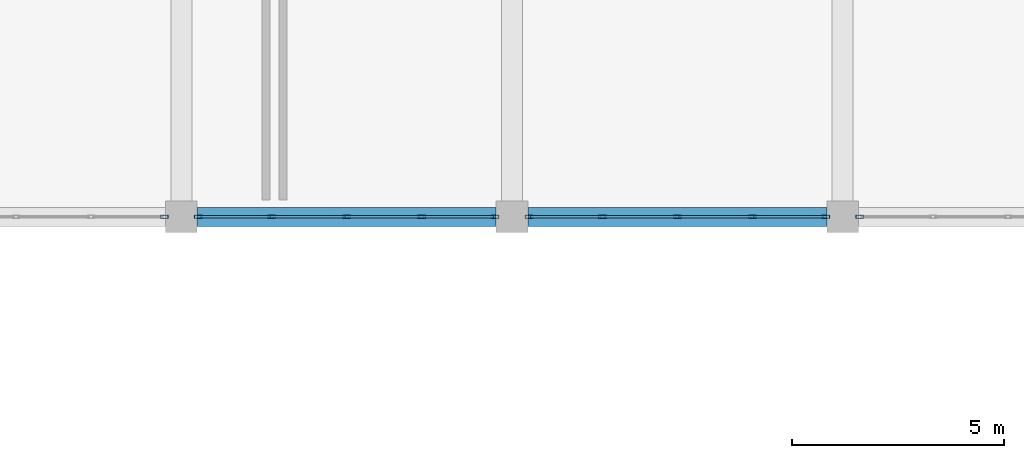
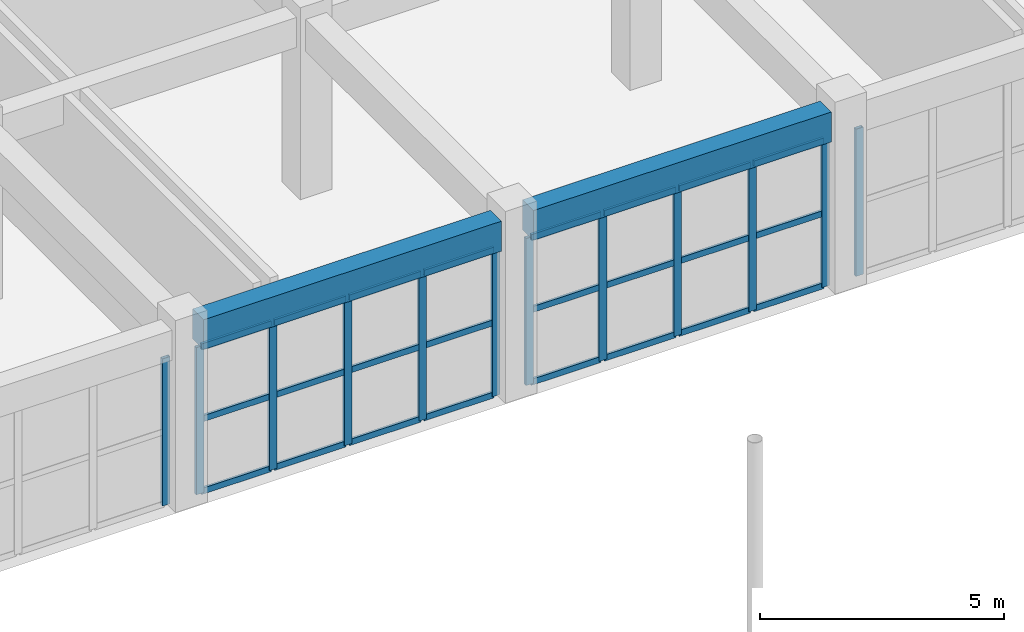
# One storey, part 84 of 175: 36 members, 2 beams, 4 elements without a shape of their own.
"""IFC4 building model written with IfcOpenShell, lengths in metres."""

from ifc_helpers import new_model, si_unit, direction, frame, origin, origin_2d, place, context, subcontext, project, spatial, rectangle, hollow_rectangle, extrude, material, layer, layer_set, material_profile, profile_set, type_object, element, aggregate, save


model = new_model("IFC4")

# Units and contexts
model_context = context("Model", 3, precision=1e-05, world=origin(), true_north=direction((0.0, 1.0)))
body_context = subcontext(model_context, "Body", "Model", "MODEL_VIEW")
ifc_project = project(units=[si_unit("LENGTHUNIT", "METRE"), si_unit("AREAUNIT", "SQUARE_METRE"), si_unit("VOLUMEUNIT", "CUBIC_METRE"), si_unit("PLANEANGLEUNIT", "RADIAN"), si_unit("MASSUNIT", "GRAM", prefix="KILO")], contexts=[model_context])

# Site, building, storey
site_placement = place(None, origin())
site = spatial("IfcSite", under=ifc_project, at=site_placement, CompositionType="ELEMENT")
building_placement = place(site_placement, origin())
building = spatial("IfcBuilding", under=site, at=building_placement, Name="Zizhar Promenade General Hospital", CompositionType="ELEMENT")
storey_placement = place(building_placement, frame((0.0, 0.0, 4.800048828125)))
storey = spatial("IfcBuildingStorey", under=building, at=storey_placement, Name="L01", CompositionType="ELEMENT", Elevation=4.800048828125)

# Beams
ifc_material_1 = material(Name="Concrete C35/45", Category="concrete")
ifc_material_profile_1 = material_profile(ifc_material_1, rectangle(XDim=0.449951171875, YDim=0.75, at=origin_2d()))
ifc_profile_set_1 = profile_set([ifc_material_profile_1], Name="Concrete C35/45")
beam_type = type_object("IfcBeamType", Name="BM-RC-450x750", PredefinedType="BEAM", material=ifc_profile_set_1)
beam_1_placement = place(storey_placement, frame((93.97509765625, 92.39990234375, 4.094970703125), z_axis=(1.0, 0.0, 0.0), x_axis=(0.0, 1.0, 0.0)))
element("IfcBeam", 1, at=beam_1_placement, inside=storey, type_object=beam_type, Name="Grid Beam X L01 (12-11)", PredefinedType="BEAM", context=body_context, shape_type="SweptSolid", body=[
    extrude(rectangle(XDim=0.449951171875, YDim=0.75, at=origin_2d()), origin(), (0.0, 0.0, 1.0), 7.0498046875),
])
beam_2_placement = place(storey_placement, frame((101.77490234375, 92.39990234375, 4.094970703125), z_axis=(1.0, 0.0, 0.0), x_axis=(0.0, 1.0, 0.0)))
element("IfcBeam", 2, at=beam_2_placement, inside=storey, type_object=beam_type, Name="Grid Beam X L01 (13-11)", PredefinedType="BEAM", context=body_context, shape_type="SweptSolid", body=[
    extrude(rectangle(XDim=0.449951171875, YDim=0.75, at=origin_2d()), origin(), (0.0, 0.0, 1.0), 7.050048828125),
])

# Curtain wall, member
ifc_material_2 = material(Name="Anodised aluminium 6063-T6 and low-E glass", Category="aluminium")
ifc_layer = layer(ifc_material_2, 0.159912109375)
ifc_layer_set = layer_set([ifc_layer], Name="Anodised aluminium 6063-T6 and low-E glass")
curtain_wall_type = type_object("IfcCurtainWallType", Name="CW-DT-MOD1", PredefinedType="NOTDEFINED", material=ifc_layer_set)
curtain_wall_1_placement = place(storey_placement, origin())
curtain_wall_1 = element("IfcCurtainWall", 3, at=curtain_wall_1_placement, inside=storey, type_object=curtain_wall_type, Name="Garden Court North Surgical Glazing L01-11", PredefinedType="NOTDEFINED")
ifc_material_3 = material(Name="Anodised aluminium 6063-T6", Category="aluminium")
ifc_material_profile_2 = material_profile(ifc_material_3, hollow_rectangle(XDim=0.080078125, YDim=0.179931640625, WallThickness=0.0048828125, at=origin_2d()))
ifc_profile_set_2 = profile_set([ifc_material_profile_2], Name="Anodised aluminium 6063-T6")
member_type_1 = type_object("IfcMemberType", Name="CWM-ALU-180x80", PredefinedType="MULLION", material=ifc_profile_set_2)
member_1_placement = place(storey_placement, frame((93.199951171875, 92.39990234375, 0.0), z_axis=(0.0, 0.0, 1.0), x_axis=(0.0, -1.0, 0.0)))
member_1 = element("IfcMember", 4, at=member_1_placement, type_object=member_type_1, Name="CW-07 mullion 1", PredefinedType="MULLION", context=body_context, shape_type="SweptSolid", body=[
    extrude(hollow_rectangle(XDim=0.080078125, YDim=0.179931640625, WallThickness=0.0048828125, at=origin_2d()), origin(), (0.0, 0.0, 1.0), 3.679931640625),
])
aggregate(curtain_wall_1, [member_1])

# Curtain wall, members
curtain_wall_2_placement = place(storey_placement, origin())
curtain_wall_2 = element("IfcCurtainWall", 5, at=curtain_wall_2_placement, inside=storey, type_object=curtain_wall_type, Name="Garden Court North Surgical Glazing L01-12", PredefinedType="NOTDEFINED")
member_2_placement = place(storey_placement, frame((101.0, 92.39990234375, 0.0), z_axis=(0.0, 0.0, 1.0), x_axis=(0.0, -1.0, 0.0)))
member_2 = element("IfcMember", 6, at=member_2_placement, type_object=member_type_1, Name="CW-07 mullion 1", PredefinedType="MULLION", context=body_context, shape_type="SweptSolid", body=[
    extrude(hollow_rectangle(XDim=0.080078125, YDim=0.179931640625, WallThickness=0.0048828125, at=origin_2d()), origin(), (0.0, 0.0, 1.0), 3.679931640625),
])
member_3_placement = place(storey_placement, frame((99.27001953125, 92.39990234375, 0.0), z_axis=(0.0, 0.0, 1.0), x_axis=(0.0, -1.0, 0.0)))
member_3 = element("IfcMember", 7, at=member_3_placement, type_object=member_type_1, Name="CW-07 mullion 2", PredefinedType="MULLION", context=body_context, shape_type="SweptSolid", body=[
    extrude(hollow_rectangle(XDim=0.080078125, YDim=0.179931640625, WallThickness=0.0048828125, at=origin_2d()), origin(), (0.0, 0.0, 1.0), 3.679931640625),
])
member_4_placement = place(storey_placement, frame((97.5, 92.39990234375, 0.0), z_axis=(0.0, 0.0, 1.0), x_axis=(0.0, -1.0, 0.0)))
member_4 = element("IfcMember", 8, at=member_4_placement, type_object=member_type_1, Name="CW-07 mullion 3", PredefinedType="MULLION", context=body_context, shape_type="SweptSolid", body=[
    extrude(hollow_rectangle(XDim=0.080078125, YDim=0.179931640625, WallThickness=0.0048828125, at=origin_2d()), origin(), (0.0, 0.0, 1.0), 3.679931640625),
])
member_5_placement = place(storey_placement, frame((95.72998046875, 92.39990234375, 0.0), z_axis=(0.0, 0.0, 1.0), x_axis=(0.0, -1.0, 0.0)))
member_5 = element("IfcMember", 9, at=member_5_placement, type_object=member_type_1, Name="CW-07 mullion 4", PredefinedType="MULLION", context=body_context, shape_type="SweptSolid", body=[
    extrude(hollow_rectangle(XDim=0.080078125, YDim=0.179931640625, WallThickness=0.0048828125, at=origin_2d()), origin(), (0.0, 0.0, 1.0), 3.679931640625),
])
member_6_placement = place(storey_placement, frame((94.0, 92.39990234375, 0.0), z_axis=(0.0, 0.0, 1.0), x_axis=(0.0, -1.0, 0.0)))
member_6 = element("IfcMember", 10, at=member_6_placement, type_object=member_type_1, Name="CW-07 mullion 5", PredefinedType="MULLION", context=body_context, shape_type="SweptSolid", body=[
    extrude(hollow_rectangle(XDim=0.080078125, YDim=0.179931640625, WallThickness=0.0048828125, at=origin_2d()), origin(), (0.0, 0.0, 1.0), 3.679931640625),
])

curtain_wall_3_placement = place(storey_placement, origin())
curtain_wall_3 = element("IfcCurtainWall", 11, at=curtain_wall_3_placement, inside=storey, type_object=curtain_wall_type, Name="Garden Court North Surgical Glazing L01-13", PredefinedType="NOTDEFINED")
member_7_placement = place(storey_placement, frame((108.800048828125, 92.39990234375, 0.0), z_axis=(0.0, 0.0, 1.0), x_axis=(0.0, -1.0, 0.0)))
member_7 = element("IfcMember", 12, at=member_7_placement, type_object=member_type_1, Name="CW-07 mullion 1", PredefinedType="MULLION", context=body_context, shape_type="SweptSolid", body=[
    extrude(hollow_rectangle(XDim=0.080078125, YDim=0.179931640625, WallThickness=0.0048828125, at=origin_2d()), origin(), (0.0, 0.0, 1.0), 3.679931640625),
])
member_8_placement = place(storey_placement, frame((107.070068359375, 92.39990234375, 0.0), z_axis=(0.0, 0.0, 1.0), x_axis=(0.0, -1.0, 0.0)))
member_8 = element("IfcMember", 13, at=member_8_placement, type_object=member_type_1, Name="CW-07 mullion 2", PredefinedType="MULLION", context=body_context, shape_type="SweptSolid", body=[
    extrude(hollow_rectangle(XDim=0.080078125, YDim=0.179931640625, WallThickness=0.0048828125, at=origin_2d()), origin(), (0.0, 0.0, 1.0), 3.679931640625),
])
member_9_placement = place(storey_placement, frame((105.300048828125, 92.39990234375, 0.0), z_axis=(0.0, 0.0, 1.0), x_axis=(0.0, -1.0, 0.0)))
member_9 = element("IfcMember", 14, at=member_9_placement, type_object=member_type_1, Name="CW-07 mullion 3", PredefinedType="MULLION", context=body_context, shape_type="SweptSolid", body=[
    extrude(hollow_rectangle(XDim=0.080078125, YDim=0.179931640625, WallThickness=0.0048828125, at=origin_2d()), origin(), (0.0, 0.0, 1.0), 3.679931640625),
])
member_10_placement = place(storey_placement, frame((103.530029296875, 92.39990234375, 0.0), z_axis=(0.0, 0.0, 1.0), x_axis=(0.0, -1.0, 0.0)))
member_10 = element("IfcMember", 15, at=member_10_placement, type_object=member_type_1, Name="CW-07 mullion 4", PredefinedType="MULLION", context=body_context, shape_type="SweptSolid", body=[
    extrude(hollow_rectangle(XDim=0.080078125, YDim=0.179931640625, WallThickness=0.0048828125, at=origin_2d()), origin(), (0.0, 0.0, 1.0), 3.679931640625),
])
member_11_placement = place(storey_placement, frame((101.800048828125, 92.39990234375, 0.0), z_axis=(0.0, 0.0, 1.0), x_axis=(0.0, -1.0, 0.0)))
member_11 = element("IfcMember", 16, at=member_11_placement, type_object=member_type_1, Name="CW-07 mullion 5", PredefinedType="MULLION", context=body_context, shape_type="SweptSolid", body=[
    extrude(hollow_rectangle(XDim=0.080078125, YDim=0.179931640625, WallThickness=0.0048828125, at=origin_2d()), origin(), (0.0, 0.0, 1.0), 3.679931640625),
])

# Curtain wall, member
curtain_wall_4_placement = place(storey_placement, origin())
curtain_wall_4 = element("IfcCurtainWall", 17, at=curtain_wall_4_placement, inside=storey, type_object=curtain_wall_type, Name="Garden Court North Surgical Glazing L01-14", PredefinedType="NOTDEFINED")
member_12_placement = place(storey_placement, frame((109.60009765625, 92.39990234375, 0.0), z_axis=(0.0, 0.0, 1.0), x_axis=(0.0, -1.0, 0.0)))
member_12 = element("IfcMember", 18, at=member_12_placement, type_object=member_type_1, Name="CW-07 mullion 5", PredefinedType="MULLION", context=body_context, shape_type="SweptSolid", body=[
    extrude(hollow_rectangle(XDim=0.080078125, YDim=0.179931640625, WallThickness=0.0048828125, at=origin_2d()), origin(), (0.0, 0.0, 1.0), 3.679931640625),
])
aggregate(curtain_wall_4, [member_12])

# Member
ifc_material_4 = material(Name="Anodised aluminium 6063-T6", Category="aluminium")
ifc_material_profile_3 = material_profile(ifc_material_4, hollow_rectangle(XDim=0.06005859375, YDim=0.14990234375, WallThickness=0.00390625, at=origin_2d()))
ifc_profile_set_3 = profile_set([ifc_material_profile_3], Name="Anodised aluminium 6063-T6")
member_type_2 = type_object("IfcMemberType", Name="CWT-ALU-150x60", PredefinedType="USERDEFINED", material=ifc_profile_set_3)
member_13_placement = place(storey_placement, frame((100.9599609375, 92.39990234375, 0.030029296875), z_axis=(-1.0, 0.0, 0.0), x_axis=(0.0, -1.0, 0.0)))
member_13 = element("IfcMember", 19, at=member_13_placement, type_object=member_type_2, Name="CW-07 transom 1.1", ObjectType="TRANSOM", PredefinedType="USERDEFINED", context=body_context, shape_type="SweptSolid", body=[
    extrude(hollow_rectangle(XDim=0.06005859375, YDim=0.14990234375, WallThickness=0.00390625, at=origin_2d()), origin(), (0.0, 0.0, 1.0), 1.64990234375),
])

member_14_placement = place(storey_placement, frame((100.9599609375, 92.39990234375, 1.83984375), z_axis=(-1.0, 0.0, 0.0), x_axis=(0.0, -1.0, 0.0)))
member_14 = element("IfcMember", 20, at=member_14_placement, type_object=member_type_2, Name="CW-07 transom 1.2", ObjectType="TRANSOM", PredefinedType="USERDEFINED", context=body_context, shape_type="SweptSolid", body=[
    extrude(hollow_rectangle(XDim=0.06005859375, YDim=0.14990234375, WallThickness=0.00390625, at=origin_2d()), origin(), (0.0, 0.0, 1.0), 1.64990234375),
])

member_15_placement = place(storey_placement, frame((100.9599609375, 92.39990234375, 3.64990234375), z_axis=(-1.0, 0.0, 0.0), x_axis=(0.0, -1.0, 0.0)))
member_15 = element("IfcMember", 21, at=member_15_placement, type_object=member_type_2, Name="CW-07 transom 1.3", ObjectType="TRANSOM", PredefinedType="USERDEFINED", context=body_context, shape_type="SweptSolid", body=[
    extrude(hollow_rectangle(XDim=0.06005859375, YDim=0.14990234375, WallThickness=0.00390625, at=origin_2d()), origin(), (0.0, 0.0, 1.0), 1.64990234375),
])

member_16_placement = place(storey_placement, frame((99.22998046875, 92.39990234375, 0.030029296875), z_axis=(-1.0, 0.0, 0.0), x_axis=(0.0, -1.0, 0.0)))
member_16 = element("IfcMember", 22, at=member_16_placement, type_object=member_type_2, Name="CW-07 transom 2.1", ObjectType="TRANSOM", PredefinedType="USERDEFINED", context=body_context, shape_type="SweptSolid", body=[
    extrude(hollow_rectangle(XDim=0.06005859375, YDim=0.14990234375, WallThickness=0.00390625, at=origin_2d()), origin(), (0.0, 0.0, 1.0), 1.68994140625),
])

member_17_placement = place(storey_placement, frame((99.22998046875, 92.39990234375, 1.83984375), z_axis=(-1.0, 0.0, 0.0), x_axis=(0.0, -1.0, 0.0)))
member_17 = element("IfcMember", 23, at=member_17_placement, type_object=member_type_2, Name="CW-07 transom 2.2", ObjectType="TRANSOM", PredefinedType="USERDEFINED", context=body_context, shape_type="SweptSolid", body=[
    extrude(hollow_rectangle(XDim=0.06005859375, YDim=0.14990234375, WallThickness=0.00390625, at=origin_2d()), origin(), (0.0, 0.0, 1.0), 1.68994140625),
])

member_18_placement = place(storey_placement, frame((99.22998046875, 92.39990234375, 3.64990234375), z_axis=(-1.0, 0.0, 0.0), x_axis=(0.0, -1.0, 0.0)))
member_18 = element("IfcMember", 24, at=member_18_placement, type_object=member_type_2, Name="CW-07 transom 2.3", ObjectType="TRANSOM", PredefinedType="USERDEFINED", context=body_context, shape_type="SweptSolid", body=[
    extrude(hollow_rectangle(XDim=0.06005859375, YDim=0.14990234375, WallThickness=0.00390625, at=origin_2d()), origin(), (0.0, 0.0, 1.0), 1.68994140625),
])

member_19_placement = place(storey_placement, frame((97.4599609375, 92.39990234375, 0.030029296875), z_axis=(-1.0, 0.0, 0.0), x_axis=(0.0, -1.0, 0.0)))
member_19 = element("IfcMember", 25, at=member_19_placement, type_object=member_type_2, Name="CW-07 transom 3.1", ObjectType="TRANSOM", PredefinedType="USERDEFINED", context=body_context, shape_type="SweptSolid", body=[
    extrude(hollow_rectangle(XDim=0.06005859375, YDim=0.14990234375, WallThickness=0.00390625, at=origin_2d()), origin(), (0.0, 0.0, 1.0), 1.68994140625),
])

member_20_placement = place(storey_placement, frame((97.4599609375, 92.39990234375, 1.83984375), z_axis=(-1.0, 0.0, 0.0), x_axis=(0.0, -1.0, 0.0)))
member_20 = element("IfcMember", 26, at=member_20_placement, type_object=member_type_2, Name="CW-07 transom 3.2", ObjectType="TRANSOM", PredefinedType="USERDEFINED", context=body_context, shape_type="SweptSolid", body=[
    extrude(hollow_rectangle(XDim=0.06005859375, YDim=0.14990234375, WallThickness=0.00390625, at=origin_2d()), origin(), (0.0, 0.0, 1.0), 1.68994140625),
])

member_21_placement = place(storey_placement, frame((97.4599609375, 92.39990234375, 3.64990234375), z_axis=(-1.0, 0.0, 0.0), x_axis=(0.0, -1.0, 0.0)))
member_21 = element("IfcMember", 27, at=member_21_placement, type_object=member_type_2, Name="CW-07 transom 3.3", ObjectType="TRANSOM", PredefinedType="USERDEFINED", context=body_context, shape_type="SweptSolid", body=[
    extrude(hollow_rectangle(XDim=0.06005859375, YDim=0.14990234375, WallThickness=0.00390625, at=origin_2d()), origin(), (0.0, 0.0, 1.0), 1.68994140625),
])

member_22_placement = place(storey_placement, frame((95.68994140625, 92.39990234375, 0.030029296875), z_axis=(-1.0, 0.0, 0.0), x_axis=(0.0, -1.0, 0.0)))
member_22 = element("IfcMember", 28, at=member_22_placement, type_object=member_type_2, Name="CW-07 transom 4.1", ObjectType="TRANSOM", PredefinedType="USERDEFINED", context=body_context, shape_type="SweptSolid", body=[
    extrude(hollow_rectangle(XDim=0.06005859375, YDim=0.14990234375, WallThickness=0.00390625, at=origin_2d()), origin(), (0.0, 0.0, 1.0), 1.64990234375),
])

member_23_placement = place(storey_placement, frame((95.68994140625, 92.39990234375, 1.83984375), z_axis=(-1.0, 0.0, 0.0), x_axis=(0.0, -1.0, 0.0)))
member_23 = element("IfcMember", 29, at=member_23_placement, type_object=member_type_2, Name="CW-07 transom 4.2", ObjectType="TRANSOM", PredefinedType="USERDEFINED", context=body_context, shape_type="SweptSolid", body=[
    extrude(hollow_rectangle(XDim=0.06005859375, YDim=0.14990234375, WallThickness=0.00390625, at=origin_2d()), origin(), (0.0, 0.0, 1.0), 1.64990234375),
])

member_24_placement = place(storey_placement, frame((95.68994140625, 92.39990234375, 3.64990234375), z_axis=(-1.0, 0.0, 0.0), x_axis=(0.0, -1.0, 0.0)))
member_24 = element("IfcMember", 30, at=member_24_placement, type_object=member_type_2, Name="CW-07 transom 4.3", ObjectType="TRANSOM", PredefinedType="USERDEFINED", context=body_context, shape_type="SweptSolid", body=[
    extrude(hollow_rectangle(XDim=0.06005859375, YDim=0.14990234375, WallThickness=0.00390625, at=origin_2d()), origin(), (0.0, 0.0, 1.0), 1.64990234375),
])

aggregate(curtain_wall_2, [member_2, member_3, member_4, member_5, member_6, member_13, member_14, member_15, member_16, member_17, member_18, member_19, member_20, member_21, member_22, member_23, member_24])

member_25_placement = place(storey_placement, frame((108.760009765625, 92.39990234375, 0.030029296875), z_axis=(-1.0, 0.0, 0.0), x_axis=(0.0, -1.0, 0.0)))
member_25 = element("IfcMember", 31, at=member_25_placement, type_object=member_type_2, Name="CW-07 transom 1.1", ObjectType="TRANSOM", PredefinedType="USERDEFINED", context=body_context, shape_type="SweptSolid", body=[
    extrude(hollow_rectangle(XDim=0.06005859375, YDim=0.14990234375, WallThickness=0.00390625, at=origin_2d()), origin(), (0.0, 0.0, 1.0), 1.64990234375),
])

member_26_placement = place(storey_placement, frame((108.760009765625, 92.39990234375, 1.83984375), z_axis=(-1.0, 0.0, 0.0), x_axis=(0.0, -1.0, 0.0)))
member_26 = element("IfcMember", 32, at=member_26_placement, type_object=member_type_2, Name="CW-07 transom 1.2", ObjectType="TRANSOM", PredefinedType="USERDEFINED", context=body_context, shape_type="SweptSolid", body=[
    extrude(hollow_rectangle(XDim=0.06005859375, YDim=0.14990234375, WallThickness=0.00390625, at=origin_2d()), origin(), (0.0, 0.0, 1.0), 1.64990234375),
])

member_27_placement = place(storey_placement, frame((108.760009765625, 92.39990234375, 3.64990234375), z_axis=(-1.0, 0.0, 0.0), x_axis=(0.0, -1.0, 0.0)))
member_27 = element("IfcMember", 33, at=member_27_placement, type_object=member_type_2, Name="CW-07 transom 1.3", ObjectType="TRANSOM", PredefinedType="USERDEFINED", context=body_context, shape_type="SweptSolid", body=[
    extrude(hollow_rectangle(XDim=0.06005859375, YDim=0.14990234375, WallThickness=0.00390625, at=origin_2d()), origin(), (0.0, 0.0, 1.0), 1.64990234375),
])

member_28_placement = place(storey_placement, frame((107.030029296875, 92.39990234375, 0.030029296875), z_axis=(-1.0, 0.0, 0.0), x_axis=(0.0, -1.0, 0.0)))
member_28 = element("IfcMember", 34, at=member_28_placement, type_object=member_type_2, Name="CW-07 transom 2.1", ObjectType="TRANSOM", PredefinedType="USERDEFINED", context=body_context, shape_type="SweptSolid", body=[
    extrude(hollow_rectangle(XDim=0.06005859375, YDim=0.14990234375, WallThickness=0.00390625, at=origin_2d()), origin(), (0.0, 0.0, 1.0), 1.68994140625),
])

member_29_placement = place(storey_placement, frame((107.030029296875, 92.39990234375, 1.83984375), z_axis=(-1.0, 0.0, 0.0), x_axis=(0.0, -1.0, 0.0)))
member_29 = element("IfcMember", 35, at=member_29_placement, type_object=member_type_2, Name="CW-07 transom 2.2", ObjectType="TRANSOM", PredefinedType="USERDEFINED", context=body_context, shape_type="SweptSolid", body=[
    extrude(hollow_rectangle(XDim=0.06005859375, YDim=0.14990234375, WallThickness=0.00390625, at=origin_2d()), origin(), (0.0, 0.0, 1.0), 1.68994140625),
])

member_30_placement = place(storey_placement, frame((107.030029296875, 92.39990234375, 3.64990234375), z_axis=(-1.0, 0.0, 0.0), x_axis=(0.0, -1.0, 0.0)))
member_30 = element("IfcMember", 36, at=member_30_placement, type_object=member_type_2, Name="CW-07 transom 2.3", ObjectType="TRANSOM", PredefinedType="USERDEFINED", context=body_context, shape_type="SweptSolid", body=[
    extrude(hollow_rectangle(XDim=0.06005859375, YDim=0.14990234375, WallThickness=0.00390625, at=origin_2d()), origin(), (0.0, 0.0, 1.0), 1.68994140625),
])

member_31_placement = place(storey_placement, frame((105.260009765625, 92.39990234375, 0.030029296875), z_axis=(-1.0, 0.0, 0.0), x_axis=(0.0, -1.0, 0.0)))
member_31 = element("IfcMember", 37, at=member_31_placement, type_object=member_type_2, Name="CW-07 transom 3.1", ObjectType="TRANSOM", PredefinedType="USERDEFINED", context=body_context, shape_type="SweptSolid", body=[
    extrude(hollow_rectangle(XDim=0.06005859375, YDim=0.14990234375, WallThickness=0.00390625, at=origin_2d()), origin(), (0.0, 0.0, 1.0), 1.68994140625),
])

member_32_placement = place(storey_placement, frame((105.260009765625, 92.39990234375, 1.83984375), z_axis=(-1.0, 0.0, 0.0), x_axis=(0.0, -1.0, 0.0)))
member_32 = element("IfcMember", 38, at=member_32_placement, type_object=member_type_2, Name="CW-07 transom 3.2", ObjectType="TRANSOM", PredefinedType="USERDEFINED", context=body_context, shape_type="SweptSolid", body=[
    extrude(hollow_rectangle(XDim=0.06005859375, YDim=0.14990234375, WallThickness=0.00390625, at=origin_2d()), origin(), (0.0, 0.0, 1.0), 1.68994140625),
])

member_33_placement = place(storey_placement, frame((105.260009765625, 92.39990234375, 3.64990234375), z_axis=(-1.0, 0.0, 0.0), x_axis=(0.0, -1.0, 0.0)))
member_33 = element("IfcMember", 39, at=member_33_placement, type_object=member_type_2, Name="CW-07 transom 3.3", ObjectType="TRANSOM", PredefinedType="USERDEFINED", context=body_context, shape_type="SweptSolid", body=[
    extrude(hollow_rectangle(XDim=0.06005859375, YDim=0.14990234375, WallThickness=0.00390625, at=origin_2d()), origin(), (0.0, 0.0, 1.0), 1.68994140625),
])

member_34_placement = place(storey_placement, frame((103.489990234375, 92.39990234375, 0.030029296875), z_axis=(-1.0, 0.0, 0.0), x_axis=(0.0, -1.0, 0.0)))
member_34 = element("IfcMember", 40, at=member_34_placement, type_object=member_type_2, Name="CW-07 transom 4.1", ObjectType="TRANSOM", PredefinedType="USERDEFINED", context=body_context, shape_type="SweptSolid", body=[
    extrude(hollow_rectangle(XDim=0.06005859375, YDim=0.14990234375, WallThickness=0.00390625, at=origin_2d()), origin(), (0.0, 0.0, 1.0), 1.64990234375),
])

member_35_placement = place(storey_placement, frame((103.489990234375, 92.39990234375, 1.83984375), z_axis=(-1.0, 0.0, 0.0), x_axis=(0.0, -1.0, 0.0)))
member_35 = element("IfcMember", 41, at=member_35_placement, type_object=member_type_2, Name="CW-07 transom 4.2", ObjectType="TRANSOM", PredefinedType="USERDEFINED", context=body_context, shape_type="SweptSolid", body=[
    extrude(hollow_rectangle(XDim=0.06005859375, YDim=0.14990234375, WallThickness=0.00390625, at=origin_2d()), origin(), (0.0, 0.0, 1.0), 1.64990234375),
])

member_36_placement = place(storey_placement, frame((103.489990234375, 92.39990234375, 3.64990234375), z_axis=(-1.0, 0.0, 0.0), x_axis=(0.0, -1.0, 0.0)))
member_36 = element("IfcMember", 42, at=member_36_placement, type_object=member_type_2, Name="CW-07 transom 4.3", ObjectType="TRANSOM", PredefinedType="USERDEFINED", context=body_context, shape_type="SweptSolid", body=[
    extrude(hollow_rectangle(XDim=0.06005859375, YDim=0.14990234375, WallThickness=0.00390625, at=origin_2d()), origin(), (0.0, 0.0, 1.0), 1.64990234375),
])

aggregate(curtain_wall_3, [member_7, member_8, member_9, member_10, member_11, member_25, member_26, member_27, member_28, member_29, member_30, member_31, member_32, member_33, member_34, member_35, member_36])

save(model, "model.ifc")
